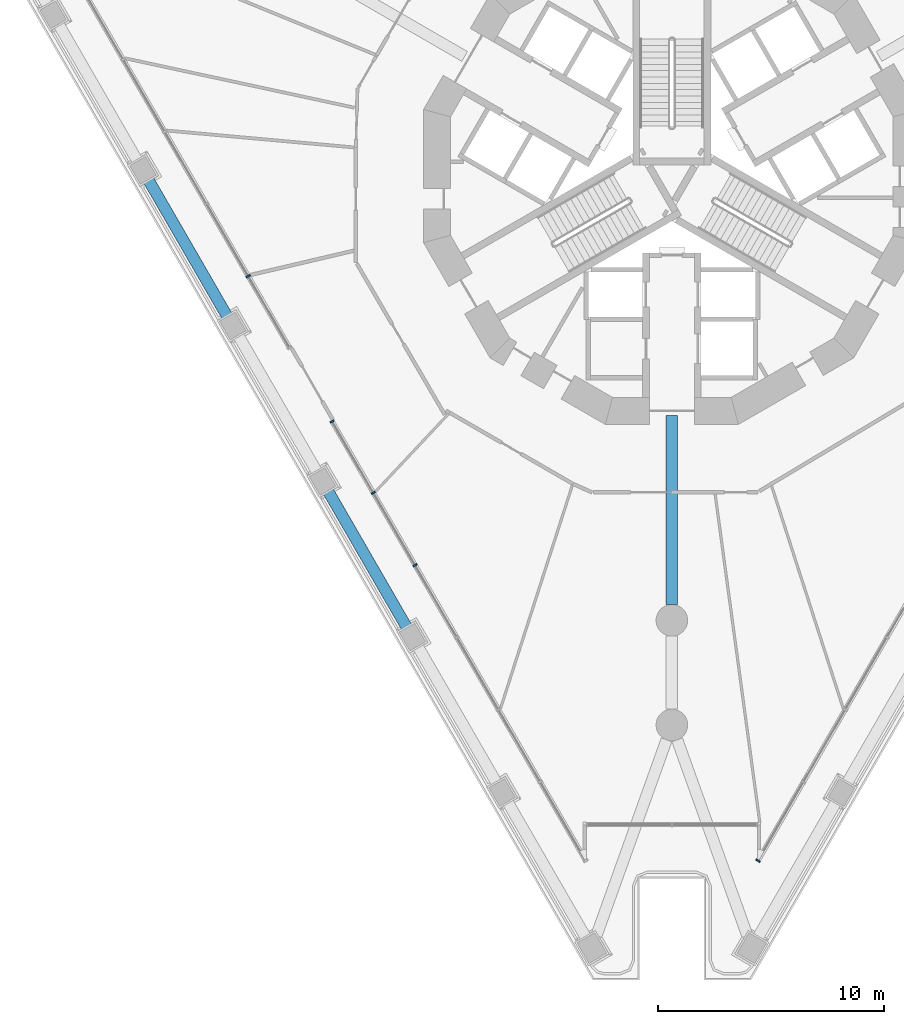
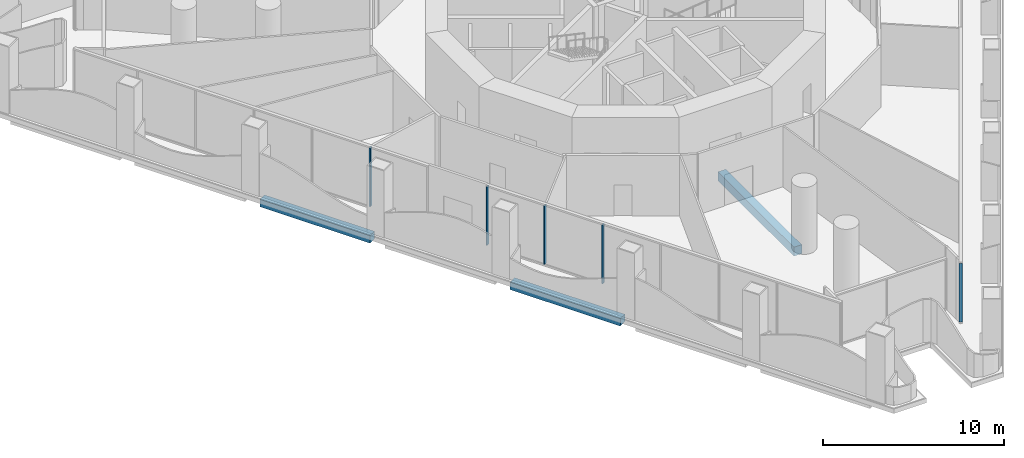
# One storey, part 3 of 22: 5 members, 3 beams, 3 elements without a shape of their own.
"""IFC4 building model written with IfcOpenShell, lengths in metres."""

from ifc_helpers import new_model, si_unit, direction, frame, origin, origin_2d, place, context, subcontext, project, spatial, rectangle, extrude, material, layer, layer_set, material_profile, profile_set, type_object, element, aggregate, save


model = new_model("IFC4")

# Units and contexts
model_context = context("Model", 3, precision=1e-05, world=origin(), true_north=direction((0.0, 1.0)))
body_context = subcontext(model_context, "Body", "Model", "MODEL_VIEW")
ifc_project = project(units=[si_unit("LENGTHUNIT", "METRE"), si_unit("AREAUNIT", "SQUARE_METRE"), si_unit("VOLUMEUNIT", "CUBIC_METRE"), si_unit("PLANEANGLEUNIT", "RADIAN"), si_unit("MASSUNIT", "GRAM", prefix="KILO")], contexts=[model_context])

# Site, building, storey
site_placement = place(None, origin())
site = spatial("IfcSite", under=ifc_project, at=site_placement, CompositionType="ELEMENT")
building_placement = place(site_placement, origin())
building = spatial("IfcBuilding", under=site, at=building_placement, Name="Trine Commons Tower", CompositionType="ELEMENT")
storey_placement = place(building_placement, frame((0.0, 0.0, 22.5)))
storey = spatial("IfcBuildingStorey", under=building, at=storey_placement, Name="L04", CompositionType="ELEMENT", Elevation=22.5)

# Curtain wall, member
ifc_material_1 = material(Name="Podium glazing: anodised aluminium frame with low-emissivity double glazed unit", Category="aluminium")
ifc_layer = layer(ifc_material_1, 0.199951171875)
ifc_layer_set = layer_set([ifc_layer], Name="Podium glazing: anodised aluminium frame with low-emissivity double glazed unit")
curtain_wall_type = type_object("IfcCurtainWallType", Name="Podium glazing curtain wall CW3", PredefinedType="NOTDEFINED", material=ifc_layer_set)
curtain_wall_1_placement = place(storey_placement, origin())
curtain_wall_1 = element("IfcCurtainWall", 1, at=curtain_wall_1_placement, inside=storey, type_object=curtain_wall_type, Name="Podium glazing L04 F2.2", PredefinedType="NOTDEFINED")
ifc_material_2 = material(Name="Anodised aluminium, bronze finish", Category="aluminium")
ifc_material_profile_1 = material_profile(ifc_material_2, rectangle(XDim=0.199951171875, YDim=0.074951171875, at=origin_2d()), Name="Mullion 75x200")
ifc_profile_set_1 = profile_set([ifc_material_profile_1], Name="Anodised aluminium, bronze finish")
member_type = type_object("IfcMemberType", Name="Mullion 75x200, Anodised aluminium, bronze finish", PredefinedType="MULLION", material=ifc_profile_set_1)
member_1_placement = place(storey_placement, frame((83.818603515625, 32.14501953125, 0.10009765625), z_axis=(0.0, 0.0, 1.0), x_axis=(0.866025403784, -0.5, 0.0)))
member_1 = element("IfcMember", 2, at=member_1_placement, type_object=member_type, Name="CW3 mullion 7.1", PredefinedType="MULLION", context=body_context, shape_type="SweptSolid", body=[
    extrude(rectangle(XDim=0.199951171875, YDim=0.074951171875, at=origin_2d()), origin(), (0.0, 0.0, 1.0), 3.949951171875),
])
aggregate(curtain_wall_1, [member_1])

# Curtain wall, members
curtain_wall_2_placement = place(storey_placement, origin())
curtain_wall_2 = element("IfcCurtainWall", 3, at=curtain_wall_2_placement, inside=storey, type_object=curtain_wall_type, Name="Podium glazing L04 F3.1", PredefinedType="NOTDEFINED")
member_2_placement = place(storey_placement, frame((68.615478515625, 45.2490234375, 0.10009765625), z_axis=(0.0, 0.0, 1.0), x_axis=(-0.866025403784, -0.5, 0.0)))
member_2 = element("IfcMember", 4, at=member_2_placement, type_object=member_type, Name="CW3 mullion 5.1", PredefinedType="MULLION", context=body_context, shape_type="SweptSolid", body=[
    extrude(rectangle(XDim=0.199951171875, YDim=0.074951171875, at=origin_2d()), origin(), (0.0, 0.0, 1.0), 3.949951171875),
])
member_3_placement = place(storey_placement, frame((66.76611328125, 48.452392578125, 0.10009765625), z_axis=(0.0, 0.0, 1.0), x_axis=(-0.866025403784, -0.5, 0.0)))
member_3 = element("IfcMember", 5, at=member_3_placement, type_object=member_type, Name="CW3 mullion 6.1", PredefinedType="MULLION", context=body_context, shape_type="SweptSolid", body=[
    extrude(rectangle(XDim=0.199951171875, YDim=0.074951171875, at=origin_2d()), origin(), (0.0, 0.0, 1.0), 3.949951171875),
])
member_4_placement = place(storey_placement, frame((64.935302734375, 51.623291015625, 0.10009765625), z_axis=(0.0, 0.0, 1.0), x_axis=(-0.866025403784, -0.5, 0.0)))
member_4 = element("IfcMember", 6, at=member_4_placement, type_object=member_type, Name="CW3 mullion 7.1", PredefinedType="MULLION", context=body_context, shape_type="SweptSolid", body=[
    extrude(rectangle(XDim=0.199951171875, YDim=0.074951171875, at=origin_2d()), origin(), (0.0, 0.0, 1.0), 3.949951171875),
])
aggregate(curtain_wall_2, [member_2, member_3, member_4])

# Curtain wall, member
curtain_wall_3_placement = place(storey_placement, origin())
curtain_wall_3 = element("IfcCurtainWall", 7, at=curtain_wall_3_placement, inside=storey, type_object=curtain_wall_type, Name="Podium glazing L04 F3.2", PredefinedType="NOTDEFINED")
member_5_placement = place(storey_placement, frame((61.2177734375, 58.0625, 0.10009765625), z_axis=(0.0, 0.0, 1.0), x_axis=(-0.866025403784, -0.5, 0.0)))
member_5 = element("IfcMember", 8, at=member_5_placement, type_object=member_type, Name="CW3 mullion 2.1", PredefinedType="MULLION", context=body_context, shape_type="SweptSolid", body=[
    extrude(rectangle(XDim=0.199951171875, YDim=0.074951171875, at=origin_2d()), origin(), (0.0, 0.0, 1.0), 3.949951171875),
])
aggregate(curtain_wall_3, [member_5])

# Beams
ifc_material_3 = material(Name="Concrete C50/60", Category="concrete")
ifc_material_profile_2 = material_profile(ifc_material_3, rectangle(XDim=0.5, YDim=0.5, at=origin_2d()), Name="RC 500x500")
ifc_profile_set_2 = profile_set([ifc_material_profile_2], Name="Concrete C50/60")
beam_type_1 = type_object("IfcBeamType", Name="RC beam 500x500, C50/60", PredefinedType="BEAM", material=ifc_profile_set_2)
for number, where, z_axis, x_axis, name in (
    (9, (68.254638671875, 42.474365234375, -0.60009765625), (-0.499991645397, 0.866030227263, 0.0), (-0.866030227263, -0.499991645397, 0.0), "Beam EB1-03 L04"),
    (10, (60.291259765625, 56.267333984375, -0.60009765625), (-0.499991645397, 0.866030227263, 0.0), (-0.866030227263, -0.499991645397, 0.0), "Beam EB1-05 L04"),
):
    element("IfcBeam", number, at=place(storey_placement, frame(where, z_axis=z_axis, x_axis=x_axis)), inside=storey, type_object=beam_type_1, Name=name, PredefinedType="BEAM", context=body_context, shape_type="SweptSolid", body=[
        extrude(rectangle(XDim=0.5, YDim=0.5, at=origin_2d()), origin(), (0.0, 0.0, 1.0), 7.01318359375),
    ])
ifc_material_profile_3 = material_profile(ifc_material_3, rectangle(XDim=0.5, YDim=0.60009765625, at=origin_2d()), Name="RC 500x600")
ifc_profile_set_3 = profile_set([ifc_material_profile_3], Name="Concrete C50/60")
beam_type_2 = type_object("IfcBeamType", Name="RC beam 500x600, C50/60", PredefinedType="BEAM", material=ifc_profile_set_3)
beam_placement = place(storey_placement, frame((80.0, 51.888427734375, -0.64990234375), z_axis=(0.0, -1.0, 0.0), x_axis=(1.0, 0.0, 0.0)))
element("IfcBeam", 11, at=beam_placement, inside=storey, type_object=beam_type_2, Name="Beam RB1-01 L04", PredefinedType="BEAM", context=body_context, shape_type="SweptSolid", body=[
    extrude(rectangle(XDim=0.5, YDim=0.60009765625, at=origin_2d()), origin(), (0.0, 0.0, 1.0), 8.385498046875),
])

save(model, "model.ifc")
